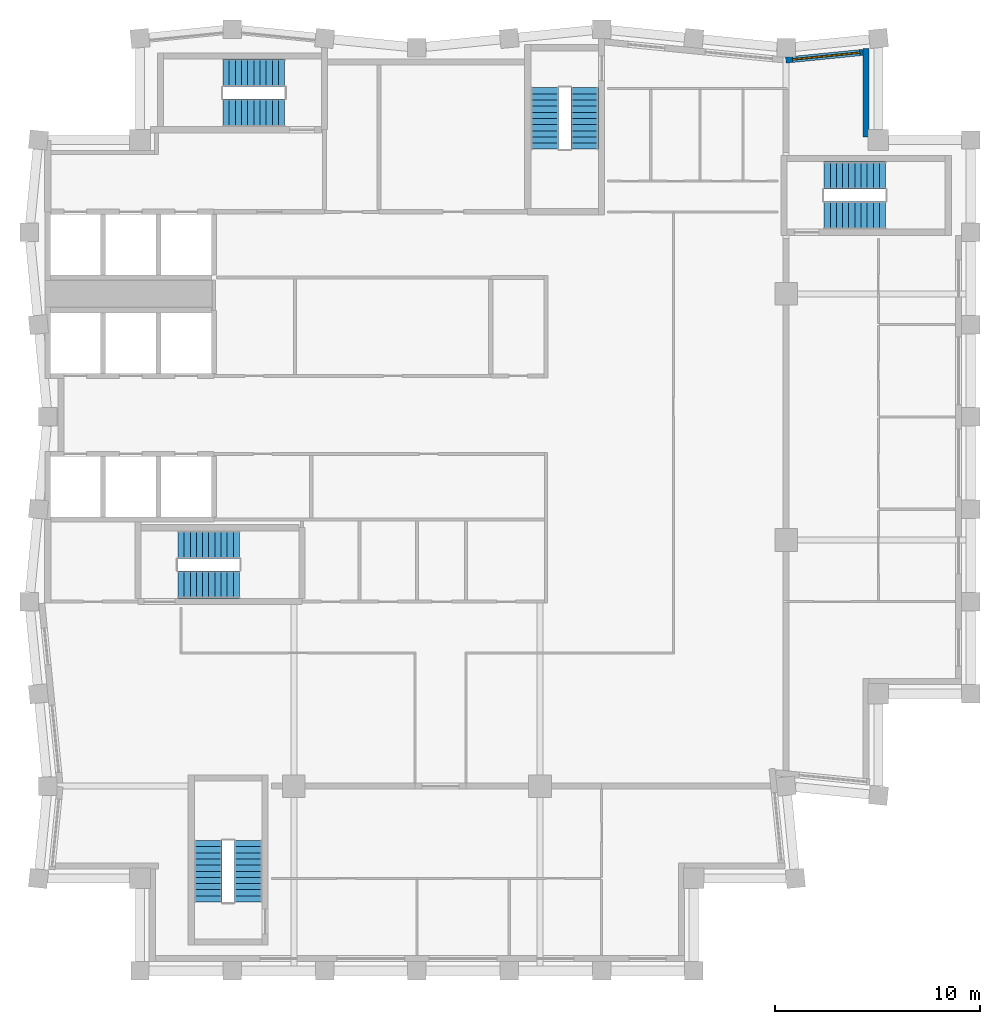
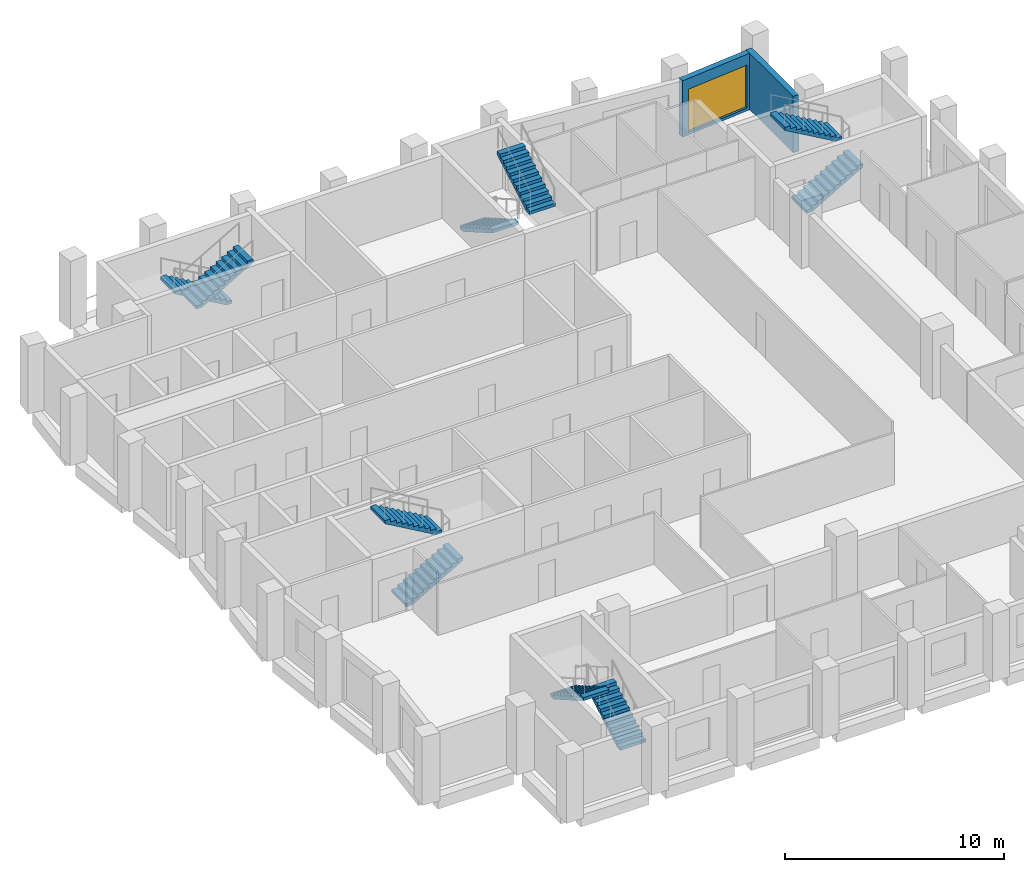
# One storey, part 6 of 7: 10 stair flights, 2 walls, 1 window, 1 opening, 5 elements without a shape of their own.
"""IFC4 building model written with IfcOpenShell, lengths in metres."""

from ifc_helpers import new_model, si_unit, direction, frame, frame_2d, origin, place, context, subcontext, project, spatial, polyline, rectangle, outline, extrude, material, layer, layer_set, type_object, element, fill, aggregate, save


model = new_model("IFC4")

# Units and contexts
model_context = context("Model", 3, precision=1e-05, world=origin(), true_north=direction((0.0, 1.0)))
body_context = subcontext(model_context, "Body", "Model", "MODEL_VIEW")
ifc_project = project(units=[si_unit("LENGTHUNIT", "METRE"), si_unit("AREAUNIT", "SQUARE_METRE"), si_unit("VOLUMEUNIT", "CUBIC_METRE"), si_unit("PLANEANGLEUNIT", "RADIAN"), si_unit("MASSUNIT", "GRAM", prefix="KILO")], contexts=[model_context])

# Site, building, storey
site_placement = place(None, origin())
site = spatial("IfcSite", under=ifc_project, at=site_placement, CompositionType="ELEMENT")
building_placement = place(site_placement, origin())
building = spatial("IfcBuilding", under=site, at=building_placement, Name="Brondeck Convention Tower", CompositionType="ELEMENT")
storey_placement = place(building_placement, frame((0.0, 0.0, 256.199951171875)))
storey = spatial("IfcBuildingStorey", under=building, at=storey_placement, Name="L63", CompositionType="ELEMENT", Elevation=256.199951171875)

# Wall
ifc_material_1 = material(Name="Precast concrete C50/60 bronze finish", Category="concrete")
ifc_layer_1 = layer(ifc_material_1, 0.070068359375, Name="Bronze precast facing")
ifc_material_2 = material(Name="Mineral wool")
ifc_layer_2 = layer(ifc_material_2, 0.159912109375, Name="Insulation")
ifc_material_3 = material(Name="Concrete C35/45", Category="concrete")
ifc_layer_3 = layer(ifc_material_3, 0.070068359375, Name="Backing")
ifc_layer_set = layer_set([ifc_layer_1, ifc_layer_2, ifc_layer_3], Name="External infill wall, precast concrete C50/60 bronze facing")
wall_type = type_object("IfcWallType", Name="External infill wall, precast concrete C50/60 bronze facing", PredefinedType="SOLIDWALL", material=ifc_layer_set)
wall_1_placement = place(storey_placement, frame((39.89990234375, 62.952880859375, 0.0), z_axis=(0.0, 0.0, 1.0), x_axis=(0.0, -1.0, 0.0)))
element("IfcWall", 1, at=wall_1_placement, inside=storey, type_object=wall_type, Name="ENV-EW-L63-P3-NC-NEA45-02", PredefinedType="SOLIDWALL", context=body_context, shape_type="SweptSolid", body=[
    extrude(rectangle(XDim=4.302978515625, YDim=0.300048828125, at=frame_2d((2.1513671875, 0.0))), origin(), (0.0, 0.0, 1.0), 3.150146484375),
])

# Wall, opening, window
wall_2_placement = place(storey_placement, frame((35.985107421875, 62.3955078125, 0.0), z_axis=(0.0, 0.0, 1.0), x_axis=(0.99503719021, 0.099503719021, 0.0)))
wall_2 = element("IfcWall", 2, at=wall_2_placement, inside=storey, type_object=wall_type, Name="ENV-EW-L63-P3-A-N-08", PredefinedType="SOLIDWALL", context=body_context, shape_type="SweptSolid", body=[
    extrude(rectangle(XDim=3.778564453125, YDim=0.300048828125, at=frame_2d((1.88916015625, 0.0))), origin(), (0.0, 0.0, 1.0), 3.150146484375),
])
opening_placement = place(wall_2_placement, frame((0.32861328125, 0.0, 0.14990234375)))
opening = element("IfcOpeningElement", 3, at=opening_placement, cuts=wall_2, Name="Opening W9", PredefinedType="OPENING", context=body_context, shape_type="SweptSolid", body=[
    extrude(rectangle(XDim=3.300048828125, YDim=2.39990234375, at=frame_2d((1.64990234375, 1.199951171875))), frame((0.0, 0.159912109375, 0.0), z_axis=(0.0, -1.0, 0.0), x_axis=(1.0, 0.0, 0.0)), (0.0, 0.0, 1.0), 0.320068359375),
])
ifc_material_4 = material(Name="Bronze tinted double glazing", Category="glass")
window_type = type_object("IfcWindowType", Name="Glazed flute window, bronze tinted", PartitioningType="SINGLE_PANEL", PredefinedType="WINDOW", material=ifc_material_4)
window_placement = place(opening_placement, origin())
window = element("IfcWindow", 4, at=window_placement, inside=storey, type_object=window_type, Name="ENV-WN-L63-P3-A-N-08", OverallHeight=2.39990234375, OverallWidth=3.300048828125, PartitioningType="SINGLE_PANEL", PredefinedType="WINDOW", context=body_context, shape_type="SweptSolid", body=[
    extrude(rectangle(XDim=3.300048828125, YDim=2.39990234375, at=frame_2d((1.64990234375, 1.199951171875))), frame((0.0, 0.030029296875, 0.0), z_axis=(0.0, -1.0, 0.0), x_axis=(1.0, 0.0, 0.0)), (0.0, 0.0, 1.0), 0.06005859375),
])
fill(opening, window)

# Stair, stair flights
ifc_material_5 = material(Name="Precast concrete C50/60", Category="concrete")
stair_type = type_object("IfcStairType", Name="Core stair 22 risers 172.73 mm riser 300 mm going 1350 wide", PredefinedType="HALF_TURN_STAIR", material=ifc_material_5)
stair_1_placement = place(storey_placement, origin())
stair_1 = element("IfcStair", 5, at=stair_1_placement, inside=storey, type_object=stair_type, Name="ST-1 L63 stair", PredefinedType="HALF_TURN_STAIR")
stair_flight_type = type_object("IfcStairFlightType", Name="Core stair flight 22 risers 172.73 mm riser 300 mm going 1350 wide", PredefinedType="STRAIGHT", material=ifc_material_5)
stair_flight_1_placement = place(storey_placement, frame((6.35009765625, 36.824951171875, 0.0), z_axis=(0.0, 0.0, 1.0), x_axis=(1.0, 0.0, 0.0)))
stair_flight_1 = element("IfcStairFlight", 6, at=stair_flight_1_placement, type_object=stair_flight_type, Name="ST-1 flight 1", NumberOfRisers=11, NumberOfTreads=10, PredefinedType="STRAIGHT", RiserHeight=0.172727273, TreadLength=0.3, context=body_context, shape_type="SweptSolid", body=[
    extrude(outline(polyline([(0.0, 0.0), (0.0, 0.172607421875), (0.300048828125, 0.172607421875), (0.300048828125, 0.345458984375), (0.60009765625, 0.345458984375), (0.60009765625, 0.51806640625), (0.89990234375, 0.51806640625), (0.89990234375, 0.69091796875), (1.199951171875, 0.69091796875), (1.199951171875, 0.863525390625), (1.5, 0.863525390625), (1.5, 1.036376953125), (1.800048828125, 1.036376953125), (1.800048828125, 1.208984375), (2.10009765625, 1.208984375), (2.10009765625, 1.3818359375), (2.39990234375, 1.3818359375), (2.39990234375, 1.554443359375), (2.699951171875, 1.554443359375), (2.699951171875, 1.727294921875), (3.0, 1.727294921875), (3.0, 1.89990234375), (3.0, 1.55419921875), (0.300537109375, 0.0), (0.0, 0.0)])), frame((0.0, 0.675048828125, 0.0), z_axis=(0.0, -1.0, 0.0), x_axis=(1.0, 0.0, 0.0)), (0.0, 0.0, 1.0), 1.35009765625),
])
stair_flight_2_placement = place(storey_placement, frame((9.35009765625, 38.77490234375, 1.900146484375), z_axis=(0.0, 0.0, 1.0), x_axis=(-1.0, 0.0, 0.0)))
stair_flight_2 = element("IfcStairFlight", 7, at=stair_flight_2_placement, type_object=stair_flight_type, Name="ST-1 flight 2", NumberOfRisers=11, NumberOfTreads=10, PredefinedType="STRAIGHT", RiserHeight=0.172727273, TreadLength=0.3, context=body_context, shape_type="SweptSolid", body=[
    extrude(outline(polyline([(0.0, 0.0), (0.0, 0.172607421875), (0.300048828125, 0.172607421875), (0.300048828125, 0.345458984375), (0.60009765625, 0.345458984375), (0.60009765625, 0.51806640625), (0.89990234375, 0.51806640625), (0.89990234375, 0.69091796875), (1.199951171875, 0.69091796875), (1.199951171875, 0.863525390625), (1.5, 0.863525390625), (1.5, 1.036376953125), (1.800048828125, 1.036376953125), (1.800048828125, 1.208984375), (2.10009765625, 1.208984375), (2.10009765625, 1.3818359375), (2.39990234375, 1.3818359375), (2.39990234375, 1.554443359375), (2.699951171875, 1.554443359375), (2.699951171875, 1.727294921875), (3.0, 1.727294921875), (3.0, 1.89990234375), (3.0, 1.55419921875), (0.300537109375, 0.0), (0.0, 0.0)])), frame((0.0, 0.675048828125, 0.0), z_axis=(0.0, -1.0, 0.0), x_axis=(1.0, 0.0, 0.0)), (0.0, 0.0, 1.0), 1.35009765625),
])
aggregate(stair_1, [stair_flight_1, stair_flight_2])

stair_2_placement = place(storey_placement, origin())
stair_2 = element("IfcStair", 8, at=stair_2_placement, inside=storey, type_object=stair_type, Name="ST-2 L63 stair", PredefinedType="HALF_TURN_STAIR")
stair_flight_3_placement = place(storey_placement, frame((24.22509765625, 61.050048828125, 0.0), z_axis=(0.0, 0.0, 1.0), x_axis=(0.0, -1.0, 0.0)))
stair_flight_3 = element("IfcStairFlight", 9, at=stair_flight_3_placement, type_object=stair_flight_type, Name="ST-2 flight 1", NumberOfRisers=11, NumberOfTreads=10, PredefinedType="STRAIGHT", RiserHeight=0.172727273, TreadLength=0.3, context=body_context, shape_type="SweptSolid", body=[
    extrude(outline(polyline([(0.0, 0.0), (0.0, 0.172607421875), (0.300048828125, 0.172607421875), (0.300048828125, 0.345458984375), (0.60009765625, 0.345458984375), (0.60009765625, 0.51806640625), (0.89990234375, 0.51806640625), (0.89990234375, 0.69091796875), (1.199951171875, 0.69091796875), (1.199951171875, 0.863525390625), (1.5, 0.863525390625), (1.5, 1.036376953125), (1.800048828125, 1.036376953125), (1.800048828125, 1.208984375), (2.10009765625, 1.208984375), (2.10009765625, 1.3818359375), (2.39990234375, 1.3818359375), (2.39990234375, 1.554443359375), (2.699951171875, 1.554443359375), (2.699951171875, 1.727294921875), (3.0, 1.727294921875), (3.0, 1.89990234375), (3.0, 1.55419921875), (0.300537109375, 0.0), (0.0, 0.0)])), frame((0.0, 0.675048828125, 0.0), z_axis=(0.0, -1.0, 0.0), x_axis=(1.0, 0.0, 0.0)), (0.0, 0.0, 1.0), 1.35009765625),
])
stair_flight_4_placement = place(storey_placement, frame((26.175048828125, 58.050048828125, 1.900146484375), z_axis=(0.0, 0.0, 1.0), x_axis=(0.0, 1.0, 0.0)))
stair_flight_4 = element("IfcStairFlight", 10, at=stair_flight_4_placement, type_object=stair_flight_type, Name="ST-2 flight 2", NumberOfRisers=11, NumberOfTreads=10, PredefinedType="STRAIGHT", RiserHeight=0.172727273, TreadLength=0.3, context=body_context, shape_type="SweptSolid", body=[
    extrude(outline(polyline([(0.0, 0.0), (0.0, 0.172607421875), (0.300048828125, 0.172607421875), (0.300048828125, 0.345458984375), (0.60009765625, 0.345458984375), (0.60009765625, 0.51806640625), (0.89990234375, 0.51806640625), (0.89990234375, 0.69091796875), (1.199951171875, 0.69091796875), (1.199951171875, 0.863525390625), (1.5, 0.863525390625), (1.5, 1.036376953125), (1.800048828125, 1.036376953125), (1.800048828125, 1.208984375), (2.10009765625, 1.208984375), (2.10009765625, 1.3818359375), (2.39990234375, 1.3818359375), (2.39990234375, 1.554443359375), (2.699951171875, 1.554443359375), (2.699951171875, 1.727294921875), (3.0, 1.727294921875), (3.0, 1.89990234375), (3.0, 1.55419921875), (0.300537109375, 0.0), (0.0, 0.0)])), frame((0.0, 0.675048828125, 0.0), z_axis=(0.0, -1.0, 0.0), x_axis=(1.0, 0.0, 0.0)), (0.0, 0.0, 1.0), 1.35009765625),
])
aggregate(stair_2, [stair_flight_3, stair_flight_4])

stair_3_placement = place(storey_placement, origin())
stair_3 = element("IfcStair", 11, at=stair_3_placement, inside=storey, type_object=stair_type, Name="ST-3 L63 stair", PredefinedType="HALF_TURN_STAIR")
stair_flight_5_placement = place(storey_placement, frame((11.550048828125, 61.77490234375, 0.0), z_axis=(0.0, 0.0, 1.0), x_axis=(-1.0, 0.0, 0.0)))
stair_flight_5 = element("IfcStairFlight", 12, at=stair_flight_5_placement, type_object=stair_flight_type, Name="ST-3 flight 1", NumberOfRisers=11, NumberOfTreads=10, PredefinedType="STRAIGHT", RiserHeight=0.172727273, TreadLength=0.3, context=body_context, shape_type="SweptSolid", body=[
    extrude(outline(polyline([(0.0, 0.0), (0.0, 0.172607421875), (0.300048828125, 0.172607421875), (0.300048828125, 0.345458984375), (0.60009765625, 0.345458984375), (0.60009765625, 0.51806640625), (0.89990234375, 0.51806640625), (0.89990234375, 0.69091796875), (1.199951171875, 0.69091796875), (1.199951171875, 0.863525390625), (1.5, 0.863525390625), (1.5, 1.036376953125), (1.800048828125, 1.036376953125), (1.800048828125, 1.208984375), (2.10009765625, 1.208984375), (2.10009765625, 1.3818359375), (2.39990234375, 1.3818359375), (2.39990234375, 1.554443359375), (2.699951171875, 1.554443359375), (2.699951171875, 1.727294921875), (3.0, 1.727294921875), (3.0, 1.89990234375), (3.0, 1.55419921875), (0.300537109375, 0.0), (0.0, 0.0)])), frame((0.0, 0.675048828125, 0.0), z_axis=(0.0, -1.0, 0.0), x_axis=(1.0, 0.0, 0.0)), (0.0, 0.0, 1.0), 1.35009765625),
])
stair_flight_6_placement = place(storey_placement, frame((8.550048828125, 59.824951171875, 1.900146484375), z_axis=(0.0, 0.0, 1.0), x_axis=(1.0, 0.0, 0.0)))
stair_flight_6 = element("IfcStairFlight", 13, at=stair_flight_6_placement, type_object=stair_flight_type, Name="ST-3 flight 2", NumberOfRisers=11, NumberOfTreads=10, PredefinedType="STRAIGHT", RiserHeight=0.172727273, TreadLength=0.3, context=body_context, shape_type="SweptSolid", body=[
    extrude(outline(polyline([(0.0, 0.0), (0.0, 0.172607421875), (0.300048828125, 0.172607421875), (0.300048828125, 0.345458984375), (0.60009765625, 0.345458984375), (0.60009765625, 0.51806640625), (0.89990234375, 0.51806640625), (0.89990234375, 0.69091796875), (1.199951171875, 0.69091796875), (1.199951171875, 0.863525390625), (1.5, 0.863525390625), (1.5, 1.036376953125), (1.800048828125, 1.036376953125), (1.800048828125, 1.208984375), (2.10009765625, 1.208984375), (2.10009765625, 1.3818359375), (2.39990234375, 1.3818359375), (2.39990234375, 1.554443359375), (2.699951171875, 1.554443359375), (2.699951171875, 1.727294921875), (3.0, 1.727294921875), (3.0, 1.89990234375), (3.0, 1.55419921875), (0.300537109375, 0.0), (0.0, 0.0)])), frame((0.0, 0.675048828125, 0.0), z_axis=(0.0, -1.0, 0.0), x_axis=(1.0, 0.0, 0.0)), (0.0, 0.0, 1.0), 1.35009765625),
])
aggregate(stair_3, [stair_flight_5, stair_flight_6])

stair_4_placement = place(storey_placement, origin())
stair_4 = element("IfcStair", 14, at=stair_4_placement, inside=storey, type_object=stair_type, Name="ST-AE L63 stair", PredefinedType="HALF_TURN_STAIR")
stair_flight_7_placement = place(storey_placement, frame((37.85009765625, 54.824951171875, 0.0), z_axis=(0.0, 0.0, 1.0), x_axis=(1.0, 0.0, 0.0)))
stair_flight_7 = element("IfcStairFlight", 15, at=stair_flight_7_placement, type_object=stair_flight_type, Name="ST-AE flight 1", NumberOfRisers=11, NumberOfTreads=10, PredefinedType="STRAIGHT", RiserHeight=0.172727273, TreadLength=0.3, context=body_context, shape_type="SweptSolid", body=[
    extrude(outline(polyline([(0.0, 0.0), (0.0, 0.172607421875), (0.300048828125, 0.172607421875), (0.300048828125, 0.345458984375), (0.60009765625, 0.345458984375), (0.60009765625, 0.51806640625), (0.89990234375, 0.51806640625), (0.89990234375, 0.69091796875), (1.199951171875, 0.69091796875), (1.199951171875, 0.863525390625), (1.5, 0.863525390625), (1.5, 1.036376953125), (1.800048828125, 1.036376953125), (1.800048828125, 1.208984375), (2.10009765625, 1.208984375), (2.10009765625, 1.3818359375), (2.39990234375, 1.3818359375), (2.39990234375, 1.554443359375), (2.699951171875, 1.554443359375), (2.699951171875, 1.727294921875), (3.0, 1.727294921875), (3.0, 1.89990234375), (3.0, 1.55419921875), (0.300537109375, 0.0), (0.0, 0.0)])), frame((0.0, 0.675048828125, 0.0), z_axis=(0.0, -1.0, 0.0), x_axis=(1.0, 0.0, 0.0)), (0.0, 0.0, 1.0), 1.35009765625),
])
stair_flight_8_placement = place(storey_placement, frame((40.85009765625, 56.77490234375, 1.900146484375), z_axis=(0.0, 0.0, 1.0), x_axis=(-1.0, 0.0, 0.0)))
stair_flight_8 = element("IfcStairFlight", 16, at=stair_flight_8_placement, type_object=stair_flight_type, Name="ST-AE flight 2", NumberOfRisers=11, NumberOfTreads=10, PredefinedType="STRAIGHT", RiserHeight=0.172727273, TreadLength=0.3, context=body_context, shape_type="SweptSolid", body=[
    extrude(outline(polyline([(0.0, 0.0), (0.0, 0.172607421875), (0.300048828125, 0.172607421875), (0.300048828125, 0.345458984375), (0.60009765625, 0.345458984375), (0.60009765625, 0.51806640625), (0.89990234375, 0.51806640625), (0.89990234375, 0.69091796875), (1.199951171875, 0.69091796875), (1.199951171875, 0.863525390625), (1.5, 0.863525390625), (1.5, 1.036376953125), (1.800048828125, 1.036376953125), (1.800048828125, 1.208984375), (2.10009765625, 1.208984375), (2.10009765625, 1.3818359375), (2.39990234375, 1.3818359375), (2.39990234375, 1.554443359375), (2.699951171875, 1.554443359375), (2.699951171875, 1.727294921875), (3.0, 1.727294921875), (3.0, 1.89990234375), (3.0, 1.55419921875), (0.300537109375, 0.0), (0.0, 0.0)])), frame((0.0, 0.675048828125, 0.0), z_axis=(0.0, -1.0, 0.0), x_axis=(1.0, 0.0, 0.0)), (0.0, 0.0, 1.0), 1.35009765625),
])
aggregate(stair_4, [stair_flight_7, stair_flight_8])

stair_5_placement = place(storey_placement, origin())
stair_5 = element("IfcStair", 17, at=stair_5_placement, inside=storey, type_object=stair_type, Name="ST-BE L63 stair", PredefinedType="HALF_TURN_STAIR")
stair_flight_9_placement = place(storey_placement, frame((9.77490234375, 21.35009765625, 0.0), z_axis=(0.0, 0.0, 1.0), x_axis=(0.0, 1.0, 0.0)))
stair_flight_9 = element("IfcStairFlight", 18, at=stair_flight_9_placement, type_object=stair_flight_type, Name="ST-BE flight 1", NumberOfRisers=11, NumberOfTreads=10, PredefinedType="STRAIGHT", RiserHeight=0.172727273, TreadLength=0.3, context=body_context, shape_type="SweptSolid", body=[
    extrude(outline(polyline([(0.0, 0.0), (0.0, 0.172607421875), (0.300048828125, 0.172607421875), (0.300048828125, 0.345458984375), (0.60009765625, 0.345458984375), (0.60009765625, 0.51806640625), (0.89990234375, 0.51806640625), (0.89990234375, 0.69091796875), (1.199951171875, 0.69091796875), (1.199951171875, 0.863525390625), (1.5, 0.863525390625), (1.5, 1.036376953125), (1.800048828125, 1.036376953125), (1.800048828125, 1.208984375), (2.10009765625, 1.208984375), (2.10009765625, 1.3818359375), (2.39990234375, 1.3818359375), (2.39990234375, 1.554443359375), (2.699951171875, 1.554443359375), (2.699951171875, 1.727294921875), (3.0, 1.727294921875), (3.0, 1.89990234375), (3.0, 1.55419921875), (0.300537109375, 0.0), (0.0, 0.0)])), frame((0.0, 0.675048828125, 0.0), z_axis=(0.0, -1.0, 0.0), x_axis=(1.0, 0.0, 0.0)), (0.0, 0.0, 1.0), 1.35009765625),
])
stair_flight_10_placement = place(storey_placement, frame((7.824951171875, 24.35009765625, 1.900146484375), z_axis=(0.0, 0.0, 1.0), x_axis=(0.0, -1.0, 0.0)))
stair_flight_10 = element("IfcStairFlight", 19, at=stair_flight_10_placement, type_object=stair_flight_type, Name="ST-BE flight 2", NumberOfRisers=11, NumberOfTreads=10, PredefinedType="STRAIGHT", RiserHeight=0.172727273, TreadLength=0.3, context=body_context, shape_type="SweptSolid", body=[
    extrude(outline(polyline([(0.0, 0.0), (0.0, 0.172607421875), (0.300048828125, 0.172607421875), (0.300048828125, 0.345458984375), (0.60009765625, 0.345458984375), (0.60009765625, 0.51806640625), (0.89990234375, 0.51806640625), (0.89990234375, 0.69091796875), (1.199951171875, 0.69091796875), (1.199951171875, 0.863525390625), (1.5, 0.863525390625), (1.5, 1.036376953125), (1.800048828125, 1.036376953125), (1.800048828125, 1.208984375), (2.10009765625, 1.208984375), (2.10009765625, 1.3818359375), (2.39990234375, 1.3818359375), (2.39990234375, 1.554443359375), (2.699951171875, 1.554443359375), (2.699951171875, 1.727294921875), (3.0, 1.727294921875), (3.0, 1.89990234375), (3.0, 1.55419921875), (0.300537109375, 0.0), (0.0, 0.0)])), frame((0.0, 0.675048828125, 0.0), z_axis=(0.0, -1.0, 0.0), x_axis=(1.0, 0.0, 0.0)), (0.0, 0.0, 1.0), 1.35009765625),
])
aggregate(stair_5, [stair_flight_9, stair_flight_10])

save(model, "model.ifc")
